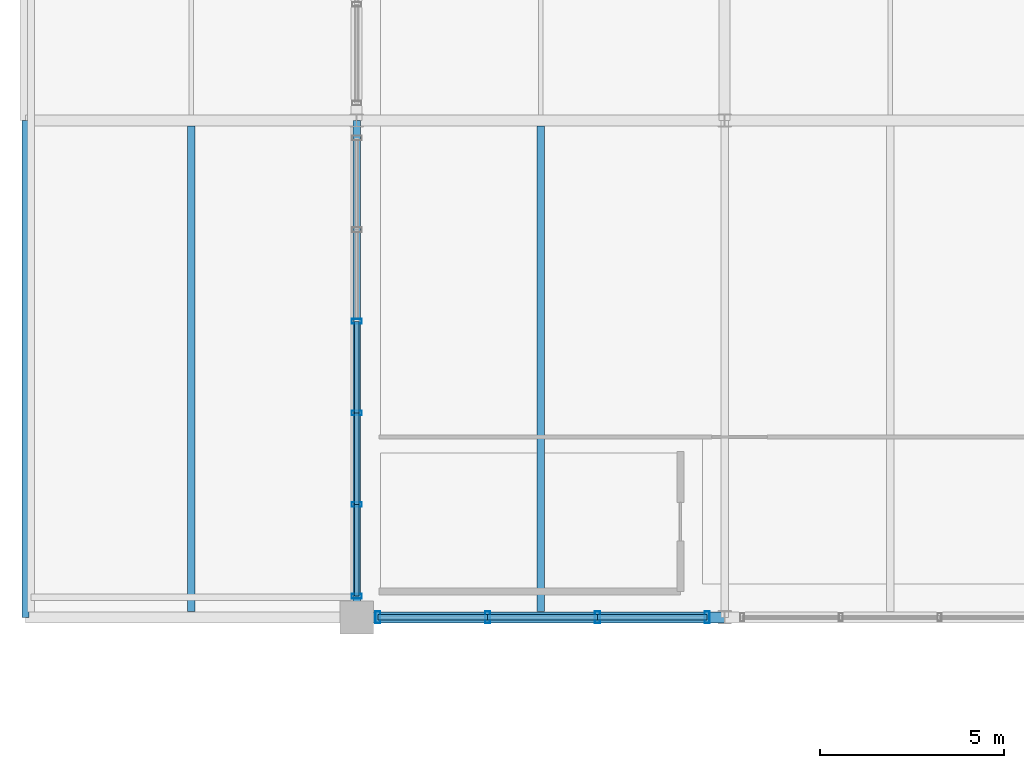
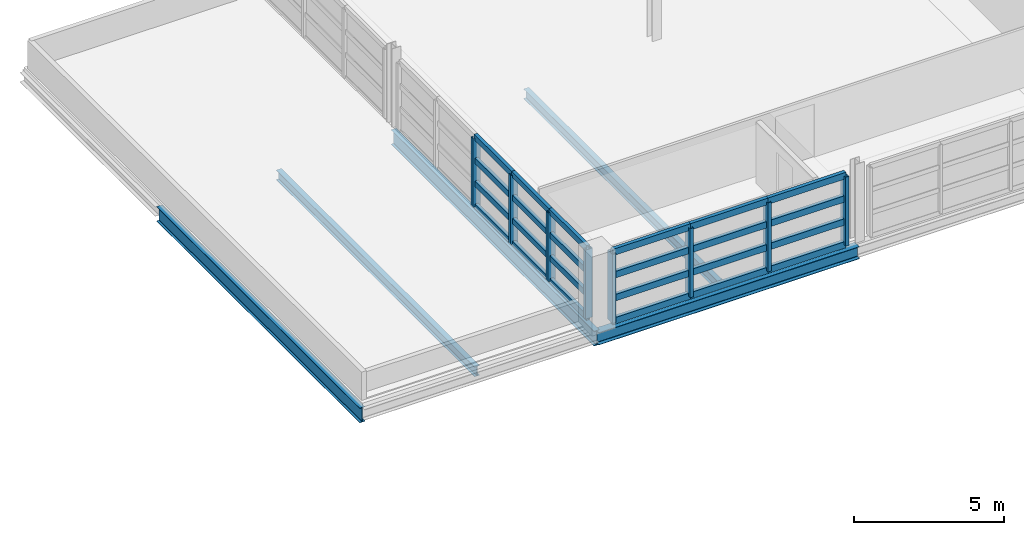
# One storey, part 7 of 30: 32 members, 5 beams, 2 elements without a shape of their own.
"""IFC4 building model written with IfcOpenShell, lengths in metres."""

from ifc_helpers import new_model, si_unit, direction, frame, origin, origin_2d, place, context, subcontext, project, spatial, hollow_rectangle, i_section, extrude, material, material_profile, profile_set, type_object, element, aggregate, save


model = new_model("IFC4")

# Units and contexts
model_context = context("Model", 3, precision=1e-05, world=origin(), true_north=direction((0.0, 1.0)))
body_context = subcontext(model_context, "Body", "Model", "MODEL_VIEW")
ifc_project = project(units=[si_unit("LENGTHUNIT", "METRE"), si_unit("AREAUNIT", "SQUARE_METRE"), si_unit("VOLUMEUNIT", "CUBIC_METRE"), si_unit("PLANEANGLEUNIT", "RADIAN"), si_unit("MASSUNIT", "GRAM", prefix="KILO")], contexts=[model_context])

# Site, building, storey
site_placement = place(None, origin())
site = spatial("IfcSite", under=ifc_project, at=site_placement, CompositionType="ELEMENT")
building_placement = place(site_placement, origin())
building = spatial("IfcBuilding", under=site, at=building_placement, Name="Chuanluo Vaults Station", CompositionType="ELEMENT")
storey_placement = place(building_placement, frame((0.0, 0.0, 17.60009765625)))
storey = spatial("IfcBuildingStorey", under=building, at=storey_placement, Name="L04", CompositionType="ELEMENT", Elevation=17.60009765625)

# Beams
ifc_material_1 = material(Name="Steel Q355C", Category="steel")
ifc_material_profile_1 = material_profile(ifc_material_1, i_section(OverallWidth=0.300048828125, OverallDepth=0.5, WebThickness=0.010986328125, FlangeThickness=0.01806640625, FilletRadius=0.02001953125, at=origin_2d()))
ifc_profile_set_1 = profile_set([ifc_material_profile_1], Name="Steel Q355C")
beam_type_1 = type_object("IfcBeamType", Name="BM-GRD-500", PredefinedType="USERDEFINED", material=ifc_profile_set_1)
beam_placement = place(storey_placement, frame((126.0, 103.5, -0.4501953125), z_axis=(1.0, 0.0, 0.0), x_axis=(0.0, 1.0, 0.0)))
element("IfcBeam", 1, at=beam_placement, inside=storey, type_object=beam_type_1, Name="Floor girder BM:GX:L04:0876", ObjectType="GIRDER", PredefinedType="USERDEFINED", context=body_context, shape_type="SweptSolid", body=[
    extrude(i_section(OverallWidth=0.300048828125, OverallDepth=0.5, WebThickness=0.010986328125, FlangeThickness=0.01806640625, FilletRadius=0.02001953125, at=origin_2d()), origin(), (0.0, 0.0, 1.0), 10.0),
])
ifc_material_2 = material(Name="Steel Q355C", Category="steel")
ifc_material_profile_2 = material_profile(ifc_material_2, i_section(OverallWidth=0.199951171875, OverallDepth=0.60009765625, WebThickness=0.010986328125, FlangeThickness=0.01708984375, FilletRadius=0.01806640625, at=origin_2d()))
ifc_profile_set_2 = profile_set([ifc_material_profile_2], Name="Steel Q355C")
beam_type_2 = type_object("IfcBeamType", Name="BM-GRD-600", PredefinedType="USERDEFINED", material=ifc_profile_set_2)
for number, where, z_axis, x_axis, name in (
    (2, (117.0, 103.5, -0.465087890625), (0.0, 1.0, 0.0), (-1.0, 0.0, 0.0), "Floor girder BM:GY:L04:0898"),
    (3, (126.0, 103.5, -0.5), (0.0, 1.0, 0.0), (-1.0, 0.0, 0.0), "Floor girder BM:GY:L04:0900"),
):
    element("IfcBeam", number, at=place(storey_placement, frame(where, z_axis=z_axis, x_axis=x_axis)), inside=storey, type_object=beam_type_2, Name=name, ObjectType="GIRDER", PredefinedType="USERDEFINED", context=body_context, shape_type="SweptSolid", body=[
        extrude(i_section(OverallWidth=0.199951171875, OverallDepth=0.60009765625, WebThickness=0.010986328125, FlangeThickness=0.01708984375, FilletRadius=0.01806640625, at=origin_2d()), origin(), (0.0, 0.0, 1.0), 13.5),
    ])
ifc_material_3 = material(Name="Steel Q355C", Category="steel")
ifc_material_profile_3 = material_profile(ifc_material_3, i_section(OverallWidth=0.199951171875, OverallDepth=0.39990234375, WebThickness=0.008056640625, FlangeThickness=0.012939453125, FilletRadius=0.01611328125, at=origin_2d()))
ifc_profile_set_3 = profile_set([ifc_material_profile_3], Name="Steel Q355C")
beam_type_3 = type_object("IfcBeamType", Name="BM-SEC-400", PredefinedType="BEAM", material=ifc_profile_set_3)
for number, where, z_axis, x_axis, name in (
    (4, (121.5, 103.655029296875, -0.364990234375), (0.0, 1.0, 0.0), (-1.0, 0.0, 0.0), "Composite secondary joist 0259"),
    (5, (131.0, 103.655029296875, -0.400146484375), (0.0, 1.0, 0.0), (-1.0, 0.0, 0.0), "Composite secondary joist 0261"),
):
    element("IfcBeam", number, at=place(storey_placement, frame(where, z_axis=z_axis, x_axis=x_axis)), inside=storey, type_object=beam_type_3, Name=name, PredefinedType="BEAM", context=body_context, shape_type="SweptSolid", body=[
        extrude(i_section(OverallWidth=0.199951171875, OverallDepth=0.39990234375, WebThickness=0.008056640625, FlangeThickness=0.012939453125, FilletRadius=0.01611328125, at=origin_2d()), origin(), (0.0, 0.0, 1.0), 13.18994140625),
    ])

# Curtain wall, members
ifc_material_4 = material(Name="Anodised aluminium 6063-T6", Category="aluminium")
curtain_wall_type_1 = type_object("IfcCurtainWallType", Name="CW-SYS-14", PredefinedType="NOTDEFINED", material=ifc_material_4)
curtain_wall_1_placement = place(storey_placement, origin())
curtain_wall_1 = element("IfcCurtainWall", 6, at=curtain_wall_1_placement, inside=storey, type_object=curtain_wall_type_1, Name="Operations L04 facade CW", PredefinedType="NOTDEFINED")
ifc_material_5 = material(Name="Anodised aluminium 6063-T6", Category="aluminium")
ifc_material_profile_4 = material_profile(ifc_material_5, hollow_rectangle(XDim=0.1298828125, YDim=0.280029296875, WallThickness=0.007080078125, at=origin_2d()))
ifc_profile_set_4 = profile_set([ifc_material_profile_4], Name="Anodised aluminium 6063-T6")
member_type_1 = type_object("IfcMemberType", Name="CWM-180", PredefinedType="MULLION", material=ifc_profile_set_4)
member_1_placement = place(storey_placement, frame((126.0, 104.074951171875, 0.0), z_axis=(0.0, 0.0, 1.0), x_axis=(0.0, 1.0, 0.0)))
member_1 = element("IfcMember", 7, at=member_1_placement, type_object=member_type_1, Name="Operations L04 facade CW mullion 1", PredefinedType="MULLION", context=body_context, shape_type="SweptSolid", body=[
    extrude(hollow_rectangle(XDim=0.1298828125, YDim=0.280029296875, WallThickness=0.007080078125, at=origin_2d()), origin(), (0.0, 0.0, 1.0), 2.7998046875),
])
member_2_placement = place(storey_placement, frame((126.0, 106.56494140625, 0.0), z_axis=(0.0, 0.0, 1.0), x_axis=(0.0, 1.0, 0.0)))
member_2 = element("IfcMember", 8, at=member_2_placement, type_object=member_type_1, Name="Operations L04 facade CW mullion 2", PredefinedType="MULLION", context=body_context, shape_type="SweptSolid", body=[
    extrude(hollow_rectangle(XDim=0.1298828125, YDim=0.280029296875, WallThickness=0.007080078125, at=origin_2d()), origin(), (0.0, 0.0, 1.0), 2.7998046875),
])
member_3_placement = place(storey_placement, frame((126.0, 109.054931640625, 0.0), z_axis=(0.0, 0.0, 1.0), x_axis=(0.0, 1.0, 0.0)))
member_3 = element("IfcMember", 9, at=member_3_placement, type_object=member_type_1, Name="Operations L04 facade CW mullion 3", PredefinedType="MULLION", context=body_context, shape_type="SweptSolid", body=[
    extrude(hollow_rectangle(XDim=0.1298828125, YDim=0.280029296875, WallThickness=0.007080078125, at=origin_2d()), origin(), (0.0, 0.0, 1.0), 2.7998046875),
])
member_4_placement = place(storey_placement, frame((126.0, 111.544921875, 0.0), z_axis=(0.0, 0.0, 1.0), x_axis=(0.0, 1.0, 0.0)))
member_4 = element("IfcMember", 10, at=member_4_placement, type_object=member_type_1, Name="Operations L04 facade CW mullion 4", PredefinedType="MULLION", context=body_context, shape_type="SweptSolid", body=[
    extrude(hollow_rectangle(XDim=0.1298828125, YDim=0.280029296875, WallThickness=0.007080078125, at=origin_2d()), origin(), (0.0, 0.0, 1.0), 2.7998046875),
])

ifc_material_6 = material(Name="Anodised aluminium 6063-T6", Category="aluminium")
curtain_wall_type_2 = type_object("IfcCurtainWallType", Name="CW-SYS-13", PredefinedType="NOTDEFINED", material=ifc_material_6)
curtain_wall_2_placement = place(storey_placement, origin())
curtain_wall_2 = element("IfcCurtainWall", 11, at=curtain_wall_2_placement, inside=storey, type_object=curtain_wall_type_2, Name="Operations L04 facade CW", PredefinedType="NOTDEFINED")
ifc_material_7 = material(Name="Anodised aluminium 6063-T6", Category="aluminium")
ifc_material_profile_5 = material_profile(ifc_material_7, hollow_rectangle(XDim=0.139892578125, YDim=0.320068359375, WallThickness=0.008056640625, at=origin_2d()))
ifc_profile_set_5 = profile_set([ifc_material_profile_5], Name="Anodised aluminium 6063-T6")
member_type_2 = type_object("IfcMemberType", Name="CWM-220", PredefinedType="MULLION", material=ifc_profile_set_5)
member_5_placement = place(storey_placement, frame((135.52490234375, 103.5, 0.0), z_axis=(0.0, 0.0, 1.0), x_axis=(-1.0, 0.0, 0.0)))
member_5 = element("IfcMember", 12, at=member_5_placement, type_object=member_type_2, Name="Operations L04 facade CW mullion 1", PredefinedType="MULLION", context=body_context, shape_type="SweptSolid", body=[
    extrude(hollow_rectangle(XDim=0.139892578125, YDim=0.320068359375, WallThickness=0.008056640625, at=origin_2d()), origin(), (0.0, 0.0, 1.0), 2.7998046875),
])
member_6_placement = place(storey_placement, frame((132.541748046875, 103.5, 0.0), z_axis=(0.0, 0.0, 1.0), x_axis=(-1.0, 0.0, 0.0)))
member_6 = element("IfcMember", 13, at=member_6_placement, type_object=member_type_2, Name="Operations L04 facade CW mullion 2", PredefinedType="MULLION", context=body_context, shape_type="SweptSolid", body=[
    extrude(hollow_rectangle(XDim=0.139892578125, YDim=0.320068359375, WallThickness=0.008056640625, at=origin_2d()), origin(), (0.0, 0.0, 1.0), 2.7998046875),
])
member_7_placement = place(storey_placement, frame((129.558349609375, 103.5, 0.0), z_axis=(0.0, 0.0, 1.0), x_axis=(-1.0, 0.0, 0.0)))
member_7 = element("IfcMember", 14, at=member_7_placement, type_object=member_type_2, Name="Operations L04 facade CW mullion 3", PredefinedType="MULLION", context=body_context, shape_type="SweptSolid", body=[
    extrude(hollow_rectangle(XDim=0.139892578125, YDim=0.320068359375, WallThickness=0.008056640625, at=origin_2d()), origin(), (0.0, 0.0, 1.0), 2.7998046875),
])
member_8_placement = place(storey_placement, frame((126.574951171875, 103.5, 0.0), z_axis=(0.0, 0.0, 1.0), x_axis=(-1.0, 0.0, 0.0)))
member_8 = element("IfcMember", 15, at=member_8_placement, type_object=member_type_2, Name="Operations L04 facade CW mullion 4", PredefinedType="MULLION", context=body_context, shape_type="SweptSolid", body=[
    extrude(hollow_rectangle(XDim=0.139892578125, YDim=0.320068359375, WallThickness=0.008056640625, at=origin_2d()), origin(), (0.0, 0.0, 1.0), 2.7998046875),
])

# Member
ifc_material_8 = material(Name="Anodised aluminium 6063-T6", Category="aluminium")
ifc_material_profile_6 = material_profile(ifc_material_8, hollow_rectangle(XDim=0.1298828125, YDim=0.22998046875, WallThickness=0.006103515625, at=origin_2d()))
ifc_profile_set_6 = profile_set([ifc_material_profile_6], Name="Anodised aluminium 6063-T6")
member_type_3 = type_object("IfcMemberType", Name="CWT-150", PredefinedType="USERDEFINED", material=ifc_profile_set_6)
member_9_placement = place(storey_placement, frame((126.0, 104.074951171875, 0.0), z_axis=(0.0, 1.0, 0.0), x_axis=(-1.0, 0.0, 0.0)))
member_9 = element("IfcMember", 16, at=member_9_placement, type_object=member_type_3, Name="Operations L04 facade CW transom 1.1", ObjectType="TRANSOM", PredefinedType="USERDEFINED", context=body_context, shape_type="SweptSolid", body=[
    extrude(hollow_rectangle(XDim=0.1298828125, YDim=0.22998046875, WallThickness=0.006103515625, at=origin_2d()), origin(), (0.0, 0.0, 1.0), 2.489990234375),
])

member_10_placement = place(storey_placement, frame((126.0, 104.074951171875, 0.93310546875), z_axis=(0.0, 1.0, 0.0), x_axis=(-1.0, 0.0, 0.0)))
member_10 = element("IfcMember", 17, at=member_10_placement, type_object=member_type_3, Name="Operations L04 facade CW transom 1.2", ObjectType="TRANSOM", PredefinedType="USERDEFINED", context=body_context, shape_type="SweptSolid", body=[
    extrude(hollow_rectangle(XDim=0.1298828125, YDim=0.22998046875, WallThickness=0.006103515625, at=origin_2d()), origin(), (0.0, 0.0, 1.0), 2.489990234375),
])

member_11_placement = place(storey_placement, frame((126.0, 104.074951171875, 1.86669921875), z_axis=(0.0, 1.0, 0.0), x_axis=(-1.0, 0.0, 0.0)))
member_11 = element("IfcMember", 18, at=member_11_placement, type_object=member_type_3, Name="Operations L04 facade CW transom 1.3", ObjectType="TRANSOM", PredefinedType="USERDEFINED", context=body_context, shape_type="SweptSolid", body=[
    extrude(hollow_rectangle(XDim=0.1298828125, YDim=0.22998046875, WallThickness=0.006103515625, at=origin_2d()), origin(), (0.0, 0.0, 1.0), 2.489990234375),
])

member_12_placement = place(storey_placement, frame((126.0, 104.074951171875, 2.7998046875), z_axis=(0.0, 1.0, 0.0), x_axis=(-1.0, 0.0, 0.0)))
member_12 = element("IfcMember", 19, at=member_12_placement, type_object=member_type_3, Name="Operations L04 facade CW transom 1.4", ObjectType="TRANSOM", PredefinedType="USERDEFINED", context=body_context, shape_type="SweptSolid", body=[
    extrude(hollow_rectangle(XDim=0.1298828125, YDim=0.22998046875, WallThickness=0.006103515625, at=origin_2d()), origin(), (0.0, 0.0, 1.0), 2.489990234375),
])

member_13_placement = place(storey_placement, frame((126.0, 106.56494140625, 0.0), z_axis=(0.0, 1.0, 0.0), x_axis=(-1.0, 0.0, 0.0)))
member_13 = element("IfcMember", 20, at=member_13_placement, type_object=member_type_3, Name="Operations L04 facade CW transom 2.1", ObjectType="TRANSOM", PredefinedType="USERDEFINED", context=body_context, shape_type="SweptSolid", body=[
    extrude(hollow_rectangle(XDim=0.1298828125, YDim=0.22998046875, WallThickness=0.006103515625, at=origin_2d()), origin(), (0.0, 0.0, 1.0), 2.489990234375),
])

member_14_placement = place(storey_placement, frame((126.0, 106.56494140625, 0.93310546875), z_axis=(0.0, 1.0, 0.0), x_axis=(-1.0, 0.0, 0.0)))
member_14 = element("IfcMember", 21, at=member_14_placement, type_object=member_type_3, Name="Operations L04 facade CW transom 2.2", ObjectType="TRANSOM", PredefinedType="USERDEFINED", context=body_context, shape_type="SweptSolid", body=[
    extrude(hollow_rectangle(XDim=0.1298828125, YDim=0.22998046875, WallThickness=0.006103515625, at=origin_2d()), origin(), (0.0, 0.0, 1.0), 2.489990234375),
])

member_15_placement = place(storey_placement, frame((126.0, 106.56494140625, 1.86669921875), z_axis=(0.0, 1.0, 0.0), x_axis=(-1.0, 0.0, 0.0)))
member_15 = element("IfcMember", 22, at=member_15_placement, type_object=member_type_3, Name="Operations L04 facade CW transom 2.3", ObjectType="TRANSOM", PredefinedType="USERDEFINED", context=body_context, shape_type="SweptSolid", body=[
    extrude(hollow_rectangle(XDim=0.1298828125, YDim=0.22998046875, WallThickness=0.006103515625, at=origin_2d()), origin(), (0.0, 0.0, 1.0), 2.489990234375),
])

member_16_placement = place(storey_placement, frame((126.0, 106.56494140625, 2.7998046875), z_axis=(0.0, 1.0, 0.0), x_axis=(-1.0, 0.0, 0.0)))
member_16 = element("IfcMember", 23, at=member_16_placement, type_object=member_type_3, Name="Operations L04 facade CW transom 2.4", ObjectType="TRANSOM", PredefinedType="USERDEFINED", context=body_context, shape_type="SweptSolid", body=[
    extrude(hollow_rectangle(XDim=0.1298828125, YDim=0.22998046875, WallThickness=0.006103515625, at=origin_2d()), origin(), (0.0, 0.0, 1.0), 2.489990234375),
])

member_17_placement = place(storey_placement, frame((126.0, 109.054931640625, 0.0), z_axis=(0.0, 1.0, 0.0), x_axis=(-1.0, 0.0, 0.0)))
member_17 = element("IfcMember", 24, at=member_17_placement, type_object=member_type_3, Name="Operations L04 facade CW transom 3.1", ObjectType="TRANSOM", PredefinedType="USERDEFINED", context=body_context, shape_type="SweptSolid", body=[
    extrude(hollow_rectangle(XDim=0.1298828125, YDim=0.22998046875, WallThickness=0.006103515625, at=origin_2d()), origin(), (0.0, 0.0, 1.0), 2.489990234375),
])

member_18_placement = place(storey_placement, frame((126.0, 109.054931640625, 0.93310546875), z_axis=(0.0, 1.0, 0.0), x_axis=(-1.0, 0.0, 0.0)))
member_18 = element("IfcMember", 25, at=member_18_placement, type_object=member_type_3, Name="Operations L04 facade CW transom 3.2", ObjectType="TRANSOM", PredefinedType="USERDEFINED", context=body_context, shape_type="SweptSolid", body=[
    extrude(hollow_rectangle(XDim=0.1298828125, YDim=0.22998046875, WallThickness=0.006103515625, at=origin_2d()), origin(), (0.0, 0.0, 1.0), 2.489990234375),
])

member_19_placement = place(storey_placement, frame((126.0, 109.054931640625, 1.86669921875), z_axis=(0.0, 1.0, 0.0), x_axis=(-1.0, 0.0, 0.0)))
member_19 = element("IfcMember", 26, at=member_19_placement, type_object=member_type_3, Name="Operations L04 facade CW transom 3.3", ObjectType="TRANSOM", PredefinedType="USERDEFINED", context=body_context, shape_type="SweptSolid", body=[
    extrude(hollow_rectangle(XDim=0.1298828125, YDim=0.22998046875, WallThickness=0.006103515625, at=origin_2d()), origin(), (0.0, 0.0, 1.0), 2.489990234375),
])

member_20_placement = place(storey_placement, frame((126.0, 109.054931640625, 2.7998046875), z_axis=(0.0, 1.0, 0.0), x_axis=(-1.0, 0.0, 0.0)))
member_20 = element("IfcMember", 27, at=member_20_placement, type_object=member_type_3, Name="Operations L04 facade CW transom 3.4", ObjectType="TRANSOM", PredefinedType="USERDEFINED", context=body_context, shape_type="SweptSolid", body=[
    extrude(hollow_rectangle(XDim=0.1298828125, YDim=0.22998046875, WallThickness=0.006103515625, at=origin_2d()), origin(), (0.0, 0.0, 1.0), 2.489990234375),
])

aggregate(curtain_wall_1, [member_1, member_2, member_3, member_4, member_9, member_10, member_11, member_12, member_13, member_14, member_15, member_16, member_17, member_18, member_19, member_20])

ifc_material_9 = material(Name="Anodised aluminium 6063-T6", Category="aluminium")
ifc_material_profile_7 = material_profile(ifc_material_9, hollow_rectangle(XDim=0.139892578125, YDim=0.260009765625, WallThickness=0.007080078125, at=origin_2d()))
ifc_profile_set_7 = profile_set([ifc_material_profile_7], Name="Anodised aluminium 6063-T6")
member_type_4 = type_object("IfcMemberType", Name="CWT-180", PredefinedType="USERDEFINED", material=ifc_profile_set_7)
member_21_placement = place(storey_placement, frame((135.52490234375, 103.5, 0.0), z_axis=(-1.0, 0.0, 0.0), x_axis=(0.0, -1.0, 0.0)))
member_21 = element("IfcMember", 28, at=member_21_placement, type_object=member_type_4, Name="Operations L04 facade CW transom 1.1", ObjectType="TRANSOM", PredefinedType="USERDEFINED", context=body_context, shape_type="SweptSolid", body=[
    extrude(hollow_rectangle(XDim=0.139892578125, YDim=0.260009765625, WallThickness=0.007080078125, at=origin_2d()), origin(), (0.0, 0.0, 1.0), 2.983154296875),
])

member_22_placement = place(storey_placement, frame((135.52490234375, 103.5, 0.93310546875), z_axis=(-1.0, 0.0, 0.0), x_axis=(0.0, -1.0, 0.0)))
member_22 = element("IfcMember", 29, at=member_22_placement, type_object=member_type_4, Name="Operations L04 facade CW transom 1.2", ObjectType="TRANSOM", PredefinedType="USERDEFINED", context=body_context, shape_type="SweptSolid", body=[
    extrude(hollow_rectangle(XDim=0.139892578125, YDim=0.260009765625, WallThickness=0.007080078125, at=origin_2d()), origin(), (0.0, 0.0, 1.0), 2.983154296875),
])

member_23_placement = place(storey_placement, frame((135.52490234375, 103.5, 1.86669921875), z_axis=(-1.0, 0.0, 0.0), x_axis=(0.0, -1.0, 0.0)))
member_23 = element("IfcMember", 30, at=member_23_placement, type_object=member_type_4, Name="Operations L04 facade CW transom 1.3", ObjectType="TRANSOM", PredefinedType="USERDEFINED", context=body_context, shape_type="SweptSolid", body=[
    extrude(hollow_rectangle(XDim=0.139892578125, YDim=0.260009765625, WallThickness=0.007080078125, at=origin_2d()), origin(), (0.0, 0.0, 1.0), 2.983154296875),
])

member_24_placement = place(storey_placement, frame((135.52490234375, 103.5, 2.7998046875), z_axis=(-1.0, 0.0, 0.0), x_axis=(0.0, -1.0, 0.0)))
member_24 = element("IfcMember", 31, at=member_24_placement, type_object=member_type_4, Name="Operations L04 facade CW transom 1.4", ObjectType="TRANSOM", PredefinedType="USERDEFINED", context=body_context, shape_type="SweptSolid", body=[
    extrude(hollow_rectangle(XDim=0.139892578125, YDim=0.260009765625, WallThickness=0.007080078125, at=origin_2d()), origin(), (0.0, 0.0, 1.0), 2.983154296875),
])

member_25_placement = place(storey_placement, frame((132.541748046875, 103.5, 0.0), z_axis=(-1.0, 0.0, 0.0), x_axis=(0.0, -1.0, 0.0)))
member_25 = element("IfcMember", 32, at=member_25_placement, type_object=member_type_4, Name="Operations L04 facade CW transom 2.1", ObjectType="TRANSOM", PredefinedType="USERDEFINED", context=body_context, shape_type="SweptSolid", body=[
    extrude(hollow_rectangle(XDim=0.139892578125, YDim=0.260009765625, WallThickness=0.007080078125, at=origin_2d()), origin(), (0.0, 0.0, 1.0), 2.9833984375),
])

member_26_placement = place(storey_placement, frame((132.541748046875, 103.5, 0.93310546875), z_axis=(-1.0, 0.0, 0.0), x_axis=(0.0, -1.0, 0.0)))
member_26 = element("IfcMember", 33, at=member_26_placement, type_object=member_type_4, Name="Operations L04 facade CW transom 2.2", ObjectType="TRANSOM", PredefinedType="USERDEFINED", context=body_context, shape_type="SweptSolid", body=[
    extrude(hollow_rectangle(XDim=0.139892578125, YDim=0.260009765625, WallThickness=0.007080078125, at=origin_2d()), origin(), (0.0, 0.0, 1.0), 2.9833984375),
])

member_27_placement = place(storey_placement, frame((132.541748046875, 103.5, 1.86669921875), z_axis=(-1.0, 0.0, 0.0), x_axis=(0.0, -1.0, 0.0)))
member_27 = element("IfcMember", 34, at=member_27_placement, type_object=member_type_4, Name="Operations L04 facade CW transom 2.3", ObjectType="TRANSOM", PredefinedType="USERDEFINED", context=body_context, shape_type="SweptSolid", body=[
    extrude(hollow_rectangle(XDim=0.139892578125, YDim=0.260009765625, WallThickness=0.007080078125, at=origin_2d()), origin(), (0.0, 0.0, 1.0), 2.9833984375),
])

member_28_placement = place(storey_placement, frame((132.541748046875, 103.5, 2.7998046875), z_axis=(-1.0, 0.0, 0.0), x_axis=(0.0, -1.0, 0.0)))
member_28 = element("IfcMember", 35, at=member_28_placement, type_object=member_type_4, Name="Operations L04 facade CW transom 2.4", ObjectType="TRANSOM", PredefinedType="USERDEFINED", context=body_context, shape_type="SweptSolid", body=[
    extrude(hollow_rectangle(XDim=0.139892578125, YDim=0.260009765625, WallThickness=0.007080078125, at=origin_2d()), origin(), (0.0, 0.0, 1.0), 2.9833984375),
])

member_29_placement = place(storey_placement, frame((129.558349609375, 103.5, 0.0), z_axis=(-1.0, 0.0, 0.0), x_axis=(0.0, -1.0, 0.0)))
member_29 = element("IfcMember", 36, at=member_29_placement, type_object=member_type_4, Name="Operations L04 facade CW transom 3.1", ObjectType="TRANSOM", PredefinedType="USERDEFINED", context=body_context, shape_type="SweptSolid", body=[
    extrude(hollow_rectangle(XDim=0.139892578125, YDim=0.260009765625, WallThickness=0.007080078125, at=origin_2d()), origin(), (0.0, 0.0, 1.0), 2.9833984375),
])

member_30_placement = place(storey_placement, frame((129.558349609375, 103.5, 0.93310546875), z_axis=(-1.0, 0.0, 0.0), x_axis=(0.0, -1.0, 0.0)))
member_30 = element("IfcMember", 37, at=member_30_placement, type_object=member_type_4, Name="Operations L04 facade CW transom 3.2", ObjectType="TRANSOM", PredefinedType="USERDEFINED", context=body_context, shape_type="SweptSolid", body=[
    extrude(hollow_rectangle(XDim=0.139892578125, YDim=0.260009765625, WallThickness=0.007080078125, at=origin_2d()), origin(), (0.0, 0.0, 1.0), 2.9833984375),
])

member_31_placement = place(storey_placement, frame((129.558349609375, 103.5, 1.86669921875), z_axis=(-1.0, 0.0, 0.0), x_axis=(0.0, -1.0, 0.0)))
member_31 = element("IfcMember", 38, at=member_31_placement, type_object=member_type_4, Name="Operations L04 facade CW transom 3.3", ObjectType="TRANSOM", PredefinedType="USERDEFINED", context=body_context, shape_type="SweptSolid", body=[
    extrude(hollow_rectangle(XDim=0.139892578125, YDim=0.260009765625, WallThickness=0.007080078125, at=origin_2d()), origin(), (0.0, 0.0, 1.0), 2.9833984375),
])

member_32_placement = place(storey_placement, frame((129.558349609375, 103.5, 2.7998046875), z_axis=(-1.0, 0.0, 0.0), x_axis=(0.0, -1.0, 0.0)))
member_32 = element("IfcMember", 39, at=member_32_placement, type_object=member_type_4, Name="Operations L04 facade CW transom 3.4", ObjectType="TRANSOM", PredefinedType="USERDEFINED", context=body_context, shape_type="SweptSolid", body=[
    extrude(hollow_rectangle(XDim=0.139892578125, YDim=0.260009765625, WallThickness=0.007080078125, at=origin_2d()), origin(), (0.0, 0.0, 1.0), 2.9833984375),
])

aggregate(curtain_wall_2, [member_5, member_6, member_7, member_8, member_21, member_22, member_23, member_24, member_25, member_26, member_27, member_28, member_29, member_30, member_31, member_32])

save(model, "model.ifc")
